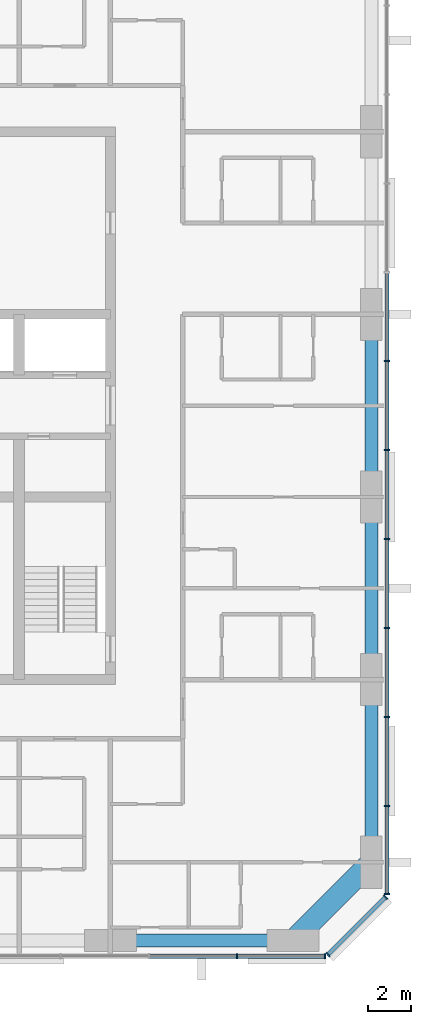
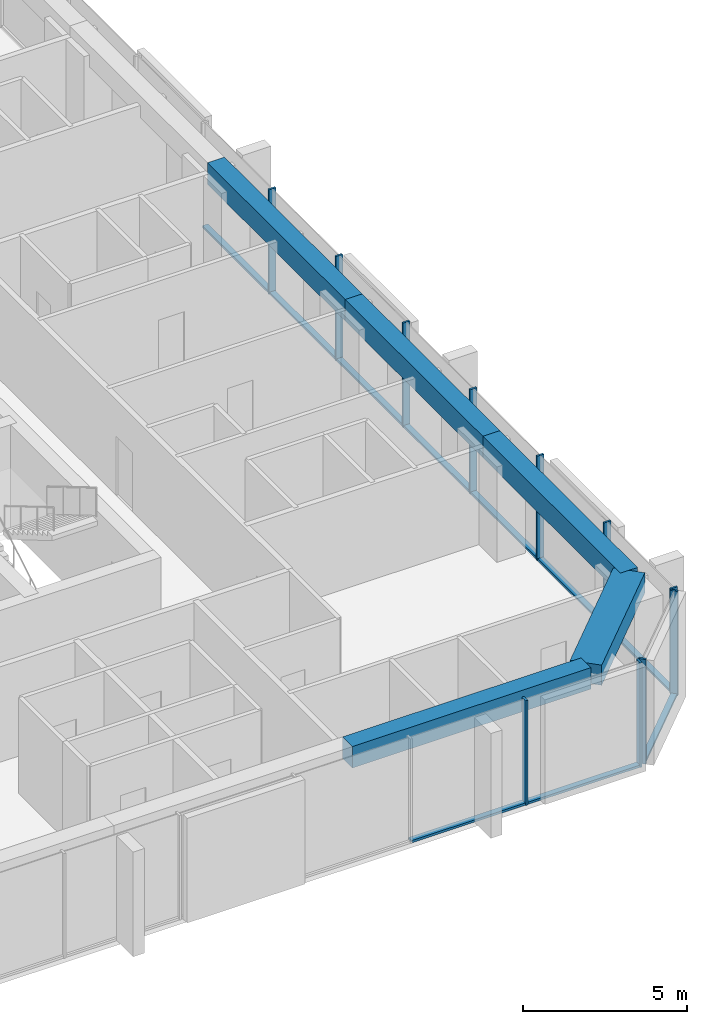
# One storey, part 3 of 12: 21 members, 5 beams, 3 elements without a shape of their own.
"""IFC4 building model written with IfcOpenShell, lengths in metres."""

from ifc_helpers import new_model, si_unit, direction, frame, origin, origin_2d, place, context, subcontext, project, spatial, rectangle, extrude, material, material_profile, profile_set, type_object, element, aggregate, save


model = new_model("IFC4")

# Units and contexts
model_context = context("Model", 3, precision=1e-05, world=origin(), true_north=direction((0.0, 1.0)))
body_context = subcontext(model_context, "Body", "Model", "MODEL_VIEW")
ifc_project = project(units=[si_unit("LENGTHUNIT", "METRE"), si_unit("AREAUNIT", "SQUARE_METRE"), si_unit("VOLUMEUNIT", "CUBIC_METRE"), si_unit("PLANEANGLEUNIT", "RADIAN"), si_unit("MASSUNIT", "GRAM", prefix="KILO")], contexts=[model_context])

# Site, building, storey
site_placement = place(None, origin())
site = spatial("IfcSite", under=ifc_project, at=site_placement, CompositionType="ELEMENT")
building_placement = place(site_placement, origin())
building = spatial("IfcBuilding", under=site, at=building_placement, Name="Dunama Terrace Hotel", CompositionType="ELEMENT")
storey_placement = place(building_placement, frame((0.0, 0.0, 268.5)))
storey = spatial("IfcBuildingStorey", under=building, at=storey_placement, Name="L69", CompositionType="ELEMENT", Elevation=268.5)

# Curtain wall, members
ifc_material_1 = material(Name="Aluminium curtain wall system", Category="aluminium")
curtain_wall_type = type_object("IfcCurtainWallType", Name="Unitised fritted glass wall CW-D", PredefinedType="NOTDEFINED", material=ifc_material_1)
curtain_wall_1_placement = place(storey_placement, origin())
curtain_wall_1 = element("IfcCurtainWall", 1, at=curtain_wall_1_placement, inside=storey, type_object=curtain_wall_type, Name="Unitised fritted glass wall CW-D L69", PredefinedType="NOTDEFINED")
ifc_material_2 = material(Name="Aluminium mullion", Category="aluminium")
ifc_material_profile_1 = material_profile(ifc_material_2, rectangle(XDim=0.070068359375, YDim=0.239990234375, at=origin_2d()), Name="CWD MULLION 70X240")
ifc_profile_set_1 = profile_set([ifc_material_profile_1], Name="Aluminium mullion")
member_type_1 = type_object("IfcMemberType", Name="CWD mullion 70x240", PredefinedType="MULLION", material=ifc_profile_set_1)
member_1_placement = place(storey_placement, frame((47.8330078125, 4.080078125, 0.0), z_axis=(0.0, 0.0, 1.0), x_axis=(1.0, 0.0, 0.0)))
member_1 = element("IfcMember", 2, at=member_1_placement, type_object=member_type_1, Name="CWD mullion", PredefinedType="MULLION", context=body_context, shape_type="SweptSolid", body=[
    extrude(rectangle(XDim=0.070068359375, YDim=0.239990234375, at=origin_2d()), origin(), (0.0, 0.0, 1.0), 3.89990234375),
])
member_2_placement = place(storey_placement, frame((51.864990234375, 4.080078125, 0.0), z_axis=(0.0, 0.0, 1.0), x_axis=(1.0, 0.0, 0.0)))
member_2 = element("IfcMember", 3, at=member_2_placement, type_object=member_type_1, Name="CWD mullion", PredefinedType="MULLION", context=body_context, shape_type="SweptSolid", body=[
    extrude(rectangle(XDim=0.070068359375, YDim=0.239990234375, at=origin_2d()), origin(), (0.0, 0.0, 1.0), 3.89990234375),
])

curtain_wall_2_placement = place(storey_placement, origin())
curtain_wall_2 = element("IfcCurtainWall", 4, at=curtain_wall_2_placement, inside=storey, type_object=curtain_wall_type, Name="Unitised fritted glass wall CW-D L69", PredefinedType="NOTDEFINED")
member_3_placement = place(storey_placement, frame((52.010009765625, 4.139892578125, 0.0), z_axis=(0.0, 0.0, 1.0), x_axis=(0.707106781187, 0.707106781187, 0.0)))
member_3 = element("IfcMember", 5, at=member_3_placement, type_object=member_type_1, Name="CWD mullion", PredefinedType="MULLION", context=body_context, shape_type="SweptSolid", body=[
    extrude(rectangle(XDim=0.070068359375, YDim=0.239990234375, at=origin_2d()), origin(), (0.0, 0.0, 1.0), 3.89990234375),
])
member_4_placement = place(storey_placement, frame((54.659912109375, 6.7900390625, 0.0), z_axis=(0.0, 0.0, 1.0), x_axis=(0.707106781187, 0.707106781187, 0.0)))
member_4 = element("IfcMember", 6, at=member_4_placement, type_object=member_type_1, Name="CWD mullion", PredefinedType="MULLION", context=body_context, shape_type="SweptSolid", body=[
    extrude(rectangle(XDim=0.070068359375, YDim=0.239990234375, at=origin_2d()), origin(), (0.0, 0.0, 1.0), 3.89990234375),
])

curtain_wall_3_placement = place(storey_placement, origin())
curtain_wall_3 = element("IfcCurtainWall", 7, at=curtain_wall_3_placement, inside=storey, type_object=curtain_wall_type, Name="Unitised fritted glass wall CW-D L69", PredefinedType="NOTDEFINED")
member_5_placement = place(storey_placement, frame((54.719970703125, 6.93505859375, 0.0), z_axis=(0.0, 0.0, 1.0), x_axis=(0.0, 1.0, 0.0)))
member_5 = element("IfcMember", 8, at=member_5_placement, type_object=member_type_1, Name="CWD mullion", PredefinedType="MULLION", context=body_context, shape_type="SweptSolid", body=[
    extrude(rectangle(XDim=0.070068359375, YDim=0.239990234375, at=origin_2d()), origin(), (0.0, 0.0, 1.0), 3.89990234375),
])
member_6_placement = place(storey_placement, frame((54.719970703125, 10.990966796875, 0.0), z_axis=(0.0, 0.0, 1.0), x_axis=(0.0, 1.0, 0.0)))
member_6 = element("IfcMember", 9, at=member_6_placement, type_object=member_type_1, Name="CWD mullion", PredefinedType="MULLION", context=body_context, shape_type="SweptSolid", body=[
    extrude(rectangle(XDim=0.070068359375, YDim=0.239990234375, at=origin_2d()), origin(), (0.0, 0.0, 1.0), 3.89990234375),
])
member_7_placement = place(storey_placement, frame((54.719970703125, 15.08203125, 0.0), z_axis=(0.0, 0.0, 1.0), x_axis=(0.0, 1.0, 0.0)))
member_7 = element("IfcMember", 10, at=member_7_placement, type_object=member_type_1, Name="CWD mullion", PredefinedType="MULLION", context=body_context, shape_type="SweptSolid", body=[
    extrude(rectangle(XDim=0.070068359375, YDim=0.239990234375, at=origin_2d()), origin(), (0.0, 0.0, 1.0), 3.89990234375),
])
member_8_placement = place(storey_placement, frame((54.719970703125, 19.173095703125, 0.0), z_axis=(0.0, 0.0, 1.0), x_axis=(0.0, 1.0, 0.0)))
member_8 = element("IfcMember", 11, at=member_8_placement, type_object=member_type_1, Name="CWD mullion", PredefinedType="MULLION", context=body_context, shape_type="SweptSolid", body=[
    extrude(rectangle(XDim=0.070068359375, YDim=0.239990234375, at=origin_2d()), origin(), (0.0, 0.0, 1.0), 3.89990234375),
])
member_9_placement = place(storey_placement, frame((54.719970703125, 23.263916015625, 0.0), z_axis=(0.0, 0.0, 1.0), x_axis=(0.0, 1.0, 0.0)))
member_9 = element("IfcMember", 12, at=member_9_placement, type_object=member_type_1, Name="CWD mullion", PredefinedType="MULLION", context=body_context, shape_type="SweptSolid", body=[
    extrude(rectangle(XDim=0.070068359375, YDim=0.239990234375, at=origin_2d()), origin(), (0.0, 0.0, 1.0), 3.89990234375),
])
member_10_placement = place(storey_placement, frame((54.719970703125, 27.35498046875, 0.0), z_axis=(0.0, 0.0, 1.0), x_axis=(0.0, 1.0, 0.0)))
member_10 = element("IfcMember", 13, at=member_10_placement, type_object=member_type_1, Name="CWD mullion", PredefinedType="MULLION", context=body_context, shape_type="SweptSolid", body=[
    extrude(rectangle(XDim=0.070068359375, YDim=0.239990234375, at=origin_2d()), origin(), (0.0, 0.0, 1.0), 3.89990234375),
])
member_11_placement = place(storey_placement, frame((54.719970703125, 31.445068359375, 0.0), z_axis=(0.0, 0.0, 1.0), x_axis=(0.0, 1.0, 0.0)))
member_11 = element("IfcMember", 14, at=member_11_placement, type_object=member_type_1, Name="CWD mullion", PredefinedType="MULLION", context=body_context, shape_type="SweptSolid", body=[
    extrude(rectangle(XDim=0.070068359375, YDim=0.239990234375, at=origin_2d()), origin(), (0.0, 0.0, 1.0), 3.89990234375),
])

# Member
ifc_material_3 = material(Name="Aluminium transom", Category="aluminium")
ifc_material_profile_2 = material_profile(ifc_material_3, rectangle(XDim=0.199951171875, YDim=0.0849609375, at=origin_2d()), Name="CWD TRANSOM 200X85")
ifc_profile_set_2 = profile_set([ifc_material_profile_2], Name="Aluminium transom")
member_type_2 = type_object("IfcMemberType", Name="CWD transom 200x85", PredefinedType="USERDEFINED", material=ifc_profile_set_2)
member_12_placement = place(storey_placement, frame((43.802001953125, 4.080078125, 0.04248046875), z_axis=(1.0, 0.0, 0.0), x_axis=(0.0, 1.0, 0.0)))
member_12 = element("IfcMember", 15, at=member_12_placement, type_object=member_type_2, Name="CWD transom", ObjectType="TRANSOM", PredefinedType="USERDEFINED", context=body_context, shape_type="SweptSolid", body=[
    extrude(rectangle(XDim=0.199951171875, YDim=0.0849609375, at=origin_2d()), origin(), (0.0, 0.0, 1.0), 3.99609375),
])

member_13_placement = place(storey_placement, frame((47.867919921875, 4.080078125, 0.04248046875), z_axis=(1.0, 0.0, 0.0), x_axis=(0.0, 1.0, 0.0)))
member_13 = element("IfcMember", 16, at=member_13_placement, type_object=member_type_2, Name="CWD transom", ObjectType="TRANSOM", PredefinedType="USERDEFINED", context=body_context, shape_type="SweptSolid", body=[
    extrude(rectangle(XDim=0.199951171875, YDim=0.0849609375, at=origin_2d()), origin(), (0.0, 0.0, 1.0), 3.962158203125),
])

aggregate(curtain_wall_1, [member_1, member_2, member_12, member_13])

member_14_placement = place(storey_placement, frame((52.033935546875, 4.1650390625, 0.04248046875), z_axis=(0.707106781187, 0.707106781187, 0.0), x_axis=(-0.707106781187, 0.707106781187, 0.0)))
member_14 = element("IfcMember", 17, at=member_14_placement, type_object=member_type_2, Name="CWD transom", ObjectType="TRANSOM", PredefinedType="USERDEFINED", context=body_context, shape_type="SweptSolid", body=[
    extrude(rectangle(XDim=0.199951171875, YDim=0.0849609375, at=origin_2d()), origin(), (0.0, 0.0, 1.0), 3.678466796875),
])

aggregate(curtain_wall_2, [member_3, member_4, member_14])

member_15_placement = place(storey_placement, frame((54.719970703125, 6.969970703125, 0.04248046875), z_axis=(0.0, 1.0, 0.0), x_axis=(-1.0, 0.0, 0.0)))
member_15 = element("IfcMember", 18, at=member_15_placement, type_object=member_type_2, Name="CWD transom", ObjectType="TRANSOM", PredefinedType="USERDEFINED", context=body_context, shape_type="SweptSolid", body=[
    extrude(rectangle(XDim=0.199951171875, YDim=0.0849609375, at=origin_2d()), origin(), (0.0, 0.0, 1.0), 3.986083984375),
])

member_16_placement = place(storey_placement, frame((54.719970703125, 11.02587890625, 0.04248046875), z_axis=(0.0, 1.0, 0.0), x_axis=(-1.0, 0.0, 0.0)))
member_16 = element("IfcMember", 19, at=member_16_placement, type_object=member_type_2, Name="CWD transom", ObjectType="TRANSOM", PredefinedType="USERDEFINED", context=body_context, shape_type="SweptSolid", body=[
    extrude(rectangle(XDim=0.199951171875, YDim=0.0849609375, at=origin_2d()), origin(), (0.0, 0.0, 1.0), 4.021240234375),
])

member_17_placement = place(storey_placement, frame((54.719970703125, 15.116943359375, 0.04248046875), z_axis=(0.0, 1.0, 0.0), x_axis=(-1.0, 0.0, 0.0)))
member_17 = element("IfcMember", 20, at=member_17_placement, type_object=member_type_2, Name="CWD transom", ObjectType="TRANSOM", PredefinedType="USERDEFINED", context=body_context, shape_type="SweptSolid", body=[
    extrude(rectangle(XDim=0.199951171875, YDim=0.0849609375, at=origin_2d()), origin(), (0.0, 0.0, 1.0), 4.02099609375),
])

member_18_placement = place(storey_placement, frame((54.719970703125, 19.2080078125, 0.04248046875), z_axis=(0.0, 1.0, 0.0), x_axis=(-1.0, 0.0, 0.0)))
member_18 = element("IfcMember", 21, at=member_18_placement, type_object=member_type_2, Name="CWD transom", ObjectType="TRANSOM", PredefinedType="USERDEFINED", context=body_context, shape_type="SweptSolid", body=[
    extrude(rectangle(XDim=0.199951171875, YDim=0.0849609375, at=origin_2d()), origin(), (0.0, 0.0, 1.0), 4.02099609375),
])

member_19_placement = place(storey_placement, frame((54.719970703125, 23.299072265625, 0.04248046875), z_axis=(0.0, 1.0, 0.0), x_axis=(-1.0, 0.0, 0.0)))
member_19 = element("IfcMember", 22, at=member_19_placement, type_object=member_type_2, Name="CWD transom", ObjectType="TRANSOM", PredefinedType="USERDEFINED", context=body_context, shape_type="SweptSolid", body=[
    extrude(rectangle(XDim=0.199951171875, YDim=0.0849609375, at=origin_2d()), origin(), (0.0, 0.0, 1.0), 4.02099609375),
])

member_20_placement = place(storey_placement, frame((54.719970703125, 27.389892578125, 0.04248046875), z_axis=(0.0, 1.0, 0.0), x_axis=(-1.0, 0.0, 0.0)))
member_20 = element("IfcMember", 23, at=member_20_placement, type_object=member_type_2, Name="CWD transom", ObjectType="TRANSOM", PredefinedType="USERDEFINED", context=body_context, shape_type="SweptSolid", body=[
    extrude(rectangle(XDim=0.199951171875, YDim=0.0849609375, at=origin_2d()), origin(), (0.0, 0.0, 1.0), 4.02001953125),
])

member_21_placement = place(storey_placement, frame((54.719970703125, 31.47998046875, 0.04248046875), z_axis=(0.0, 1.0, 0.0), x_axis=(-1.0, 0.0, 0.0)))
member_21 = element("IfcMember", 24, at=member_21_placement, type_object=member_type_2, Name="CWD transom", ObjectType="TRANSOM", PredefinedType="USERDEFINED", context=body_context, shape_type="SweptSolid", body=[
    extrude(rectangle(XDim=0.199951171875, YDim=0.0849609375, at=origin_2d()), origin(), (0.0, 0.0, 1.0), 4.02099609375),
])

aggregate(curtain_wall_3, [member_5, member_6, member_7, member_8, member_9, member_10, member_11, member_15, member_16, member_17, member_18, member_19, member_20, member_21])

# Beams
ifc_material_4 = material(Name="Concrete C50/60", Category="concrete")
ifc_material_profile_3 = material_profile(ifc_material_4, rectangle(XDim=1.0, YDim=0.75, at=origin_2d()), Name="RC 1000x750")
ifc_profile_set_3 = profile_set([ifc_material_profile_3], Name="Concrete C50/60")
beam_type_1 = type_object("IfcBeamType", Name="Edge beam RC 1000x750", PredefinedType="SPANDREL", material=ifc_profile_set_3)
beam_1_placement = place(storey_placement, frame((50.39990234375, 4.800048828125, 3.52490234375), z_axis=(0.707130757816, 0.707082803744, 0.0), x_axis=(-0.707082803744, 0.707130757816, 0.0)))
element("IfcBeam", 25, at=beam_1_placement, inside=storey, type_object=beam_type_1, Name="Corner edge beam under L70", PredefinedType="SPANDREL", context=body_context, shape_type="SweptSolid", body=[
    extrude(rectangle(XDim=1.0, YDim=0.75, at=origin_2d()), origin(), (0.0, 0.0, 1.0), 5.091064453125),
])
ifc_material_5 = material(Name="Concrete C40/50", Category="concrete")
ifc_material_profile_4 = material_profile(ifc_material_5, rectangle(XDim=0.60009765625, YDim=0.800048828125, at=origin_2d()), Name="RC 600x800")
ifc_profile_set_4 = profile_set([ifc_material_profile_4], Name="Concrete C40/50")
beam_type_2 = type_object("IfcBeamType", Name="Edge beam RC 600x800", PredefinedType="SPANDREL", material=ifc_profile_set_4)
beam_2_placement = place(storey_placement, frame((54.0, 8.39990234375, 3.5), z_axis=(0.0, 1.0, 0.0), x_axis=(-1.0, 0.0, 0.0)))
element("IfcBeam", 26, at=beam_2_placement, inside=storey, type_object=beam_type_2, Name="Edge beam under L70", PredefinedType="SPANDREL", context=body_context, shape_type="SweptSolid", body=[
    extrude(rectangle(XDim=0.60009765625, YDim=0.800048828125, at=origin_2d()), origin(), (0.0, 0.0, 1.0), 8.400146484375),
])
beam_3_placement = place(storey_placement, frame((54.0, 16.800048828125, 3.5), z_axis=(0.0, 1.0, 0.0), x_axis=(-1.0, 0.0, 0.0)))
element("IfcBeam", 27, at=beam_3_placement, inside=storey, type_object=beam_type_2, Name="Edge beam under L70", PredefinedType="SPANDREL", context=body_context, shape_type="SweptSolid", body=[
    extrude(rectangle(XDim=0.60009765625, YDim=0.800048828125, at=origin_2d()), origin(), (0.0, 0.0, 1.0), 8.39990234375),
])
beam_4_placement = place(storey_placement, frame((54.0, 25.199951171875, 3.5), z_axis=(0.0, 1.0, 0.0), x_axis=(-1.0, 0.0, 0.0)))
element("IfcBeam", 28, at=beam_4_placement, inside=storey, type_object=beam_type_2, Name="Edge beam under L70", PredefinedType="SPANDREL", context=body_context, shape_type="SweptSolid", body=[
    extrude(rectangle(XDim=0.60009765625, YDim=0.800048828125, at=origin_2d()), origin(), (0.0, 0.0, 1.0), 8.400146484375),
])
beam_5_placement = place(storey_placement, frame((42.0, 4.800048828125, 3.5), z_axis=(1.0, 0.0, 0.0), x_axis=(0.0, 1.0, 0.0)))
element("IfcBeam", 29, at=beam_5_placement, inside=storey, type_object=beam_type_2, Name="Edge beam under L70", PredefinedType="SPANDREL", context=body_context, shape_type="SweptSolid", body=[
    extrude(rectangle(XDim=0.60009765625, YDim=0.800048828125, at=origin_2d()), origin(), (0.0, 0.0, 1.0), 8.39990234375),
])

save(model, "model.ifc")
